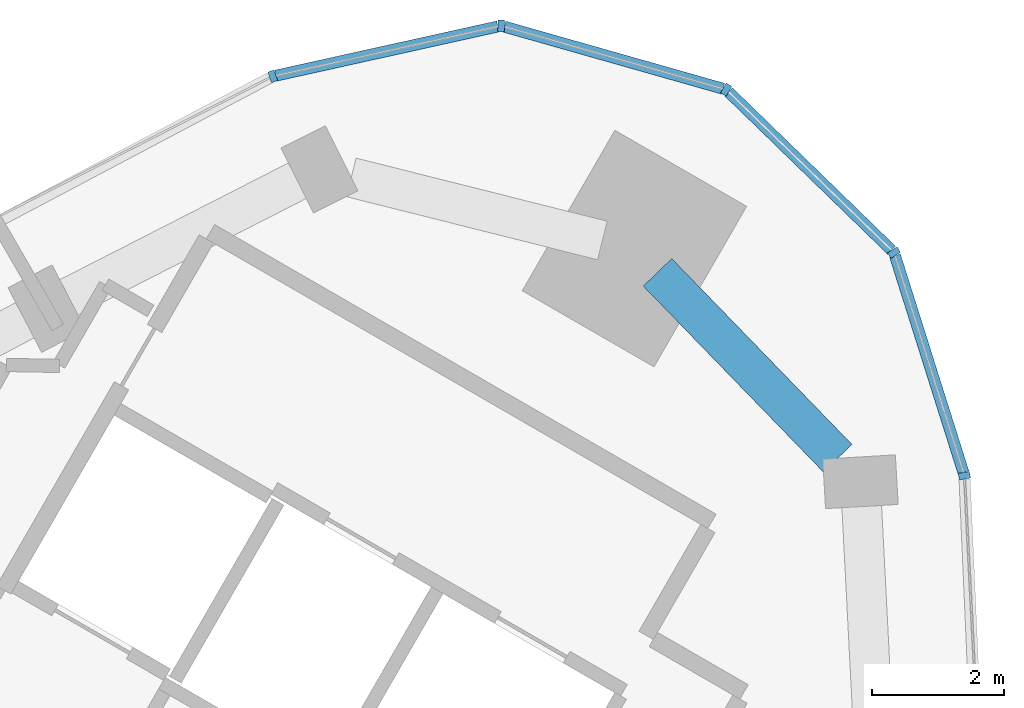
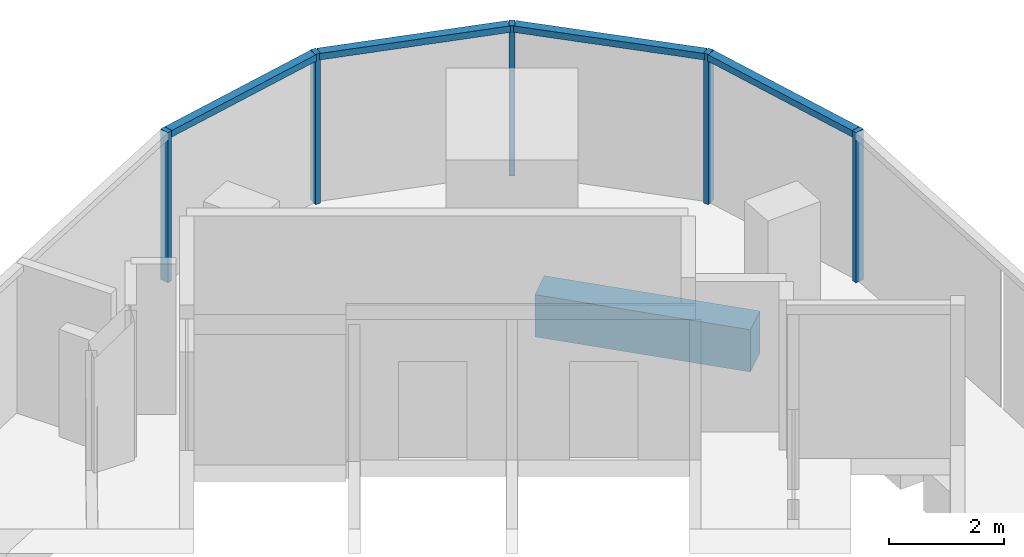
# One storey, part 5 of 11: 9 members, 1 beam, 2 elements without a shape of their own.
"""IFC4 building model written with IfcOpenShell, lengths in metres."""

from ifc_helpers import new_model, si_unit, direction, frame, origin, origin_2d, place, context, subcontext, project, spatial, rectangle, extrude, material, material_profile, profile_set, type_object, element, aggregate, save


model = new_model("IFC4")

# Units and contexts
model_context = context("Model", 3, precision=1e-05, world=origin(), true_north=direction((0.0, 1.0)))
body_context = subcontext(model_context, "Body", "Model", "MODEL_VIEW")
ifc_project = project(units=[si_unit("LENGTHUNIT", "METRE"), si_unit("AREAUNIT", "SQUARE_METRE"), si_unit("VOLUMEUNIT", "CUBIC_METRE"), si_unit("PLANEANGLEUNIT", "RADIAN"), si_unit("MASSUNIT", "GRAM", prefix="KILO")], contexts=[model_context])

# Site, building, storey
site_placement = place(None, origin())
site = spatial("IfcSite", under=ifc_project, at=site_placement, CompositionType="ELEMENT")
building_placement = place(site_placement, origin())
building = spatial("IfcBuilding", under=site, at=building_placement, Name="Tamra Quay Hotel Tower", CompositionType="ELEMENT")
storey_placement = place(building_placement, frame((0.0, 0.0, 253.800048828125)))
storey = spatial("IfcBuildingStorey", under=building, at=storey_placement, Name="L64", CompositionType="ELEMENT", Elevation=253.800048828125)

# Curtain wall, members
ifc_material_1 = material(Name="Aluminium 6063 anodised dark grey", Category="aluminium")
curtain_wall_type_1 = type_object("IfcCurtainWallType", Name="CW1 CURTAIN WALL", PredefinedType="NOTDEFINED", material=ifc_material_1)
curtain_wall_1_placement = place(storey_placement, origin())
curtain_wall_1 = element("IfcCurtainWall", 1, at=curtain_wall_1_placement, inside=storey, type_object=curtain_wall_type_1, Name="CW1 east face L64", PredefinedType="NOTDEFINED")
ifc_material_profile_1 = material_profile(ifc_material_1, rectangle(XDim=0.169921875, YDim=0.10009765625, at=origin_2d()), Name="MULLION 100X170")
ifc_profile_set_1 = profile_set([ifc_material_profile_1], Name="Aluminium 6063 anodised dark grey")
member_type_1 = type_object("IfcMemberType", Name="MULLION CW1 Z5", PredefinedType="MULLION", material=ifc_profile_set_1)
member_1_placement = place(storey_placement, frame((17.69677734375, 18.5830078125, 0.0), z_axis=(0.0, 0.0, 1.0), x_axis=(0.984105321789, 0.177585797933, 0.0)))
member_1 = element("IfcMember", 2, at=member_1_placement, type_object=member_type_1, Name="CW1 mullion L64.E.9", PredefinedType="MULLION", context=body_context, shape_type="SweptSolid", body=[
    extrude(rectangle(XDim=0.169921875, YDim=0.10009765625, at=origin_2d()), origin(), (0.0, 0.0, 1.0), 3.199951171875),
])
member_2_placement = place(storey_placement, frame((16.633056640625, 21.9541015625, 0.0), z_axis=(0.0, 0.0, 1.0), x_axis=(0.851044298206, 0.525093898736, 0.0)))
member_2 = element("IfcMember", 3, at=member_2_placement, type_object=member_type_1, Name="CW1 mullion L64.E.10", PredefinedType="MULLION", context=body_context, shape_type="SweptSolid", body=[
    extrude(rectangle(XDim=0.169921875, YDim=0.10009765625, at=origin_2d()), origin(), (0.0, 0.0, 1.0), 3.199951171875),
])
member_3_placement = place(storey_placement, frame((14.09716796875, 24.4169921875, 0.0), z_axis=(0.0, 0.0, 1.0), x_axis=(0.5, 0.866025403784, 0.0)))
member_3 = element("IfcMember", 4, at=member_3_placement, type_object=member_type_1, Name="CW1 mullion L64.E.11", PredefinedType="MULLION", context=body_context, shape_type="SweptSolid", body=[
    extrude(rectangle(XDim=0.169921875, YDim=0.10009765625, at=origin_2d()), origin(), (0.0, 0.0, 1.0), 3.199951171875),
])
member_4_placement = place(storey_placement, frame((10.6962890625, 25.3818359375, 0.0), z_axis=(0.0, 0.0, 1.0), x_axis=(0.029222506575, 0.999572931361, 0.0)))
member_4 = element("IfcMember", 5, at=member_4_placement, type_object=member_type_1, Name="CW1 mullion L64.E.12", PredefinedType="MULLION", context=body_context, shape_type="SweptSolid", body=[
    extrude(rectangle(XDim=0.169921875, YDim=0.10009765625, at=origin_2d()), origin(), (0.0, 0.0, 1.0), 3.199951171875),
])

# Curtain wall, member
curtain_wall_type_2 = type_object("IfcCurtainWallType", Name="CW2 CURTAIN WALL", PredefinedType="NOTDEFINED", material=ifc_material_1)
curtain_wall_2_placement = place(storey_placement, origin())
curtain_wall_2 = element("IfcCurtainWall", 6, at=curtain_wall_2_placement, inside=storey, type_object=curtain_wall_type_2, Name="CW2 north-west face L64", PredefinedType="NOTDEFINED")
ifc_material_profile_2 = material_profile(ifc_material_1, rectangle(XDim=0.169921875, YDim=0.10009765625, at=origin_2d()), Name="MULLION 100X170")
ifc_profile_set_2 = profile_set([ifc_material_profile_2], Name="Aluminium 6063 anodised dark grey")
member_type_2 = type_object("IfcMemberType", Name="MULLION CW2 Z5", PredefinedType="MULLION", material=ifc_profile_set_2)
member_5_placement = place(storey_placement, frame((7.244873046875, 24.617431640625, 0.0), z_axis=(0.0, 0.0, 1.0), x_axis=(-0.338258848533, 0.941053107635, 0.0)))
member_5 = element("IfcMember", 7, at=member_5_placement, type_object=member_type_2, Name="CW2 mullion L64.NW.1", PredefinedType="MULLION", context=body_context, shape_type="SweptSolid", body=[
    extrude(rectangle(XDim=0.169921875, YDim=0.10009765625, at=origin_2d()), origin(), (0.0, 0.0, 1.0), 3.199951171875),
])
aggregate(curtain_wall_2, [member_5])

# Beam
ifc_material_2 = material(Name="Concrete M60", Category="concrete")
ifc_material_profile_3 = material_profile(ifc_material_2, rectangle(XDim=0.60009765625, YDim=0.89990234375, at=origin_2d()), Name="SPANDREL BEAM RC 600x900")
ifc_profile_set_3 = profile_set([ifc_material_profile_3], Name="Concrete M60")
beam_type = type_object("IfcBeamType", Name="SPANDREL BEAM RC 600x900", PredefinedType="SPANDREL", material=ifc_profile_set_3)
beam_placement = place(storey_placement, frame((15.781005859375, 18.846435546875, -0.800048828125), z_axis=(-0.69594408001, 0.718095980701, 0.0), x_axis=(-0.718095980701, -0.69594408001, 0.0)))
element("IfcBeam", 8, at=beam_placement, inside=storey, type_object=beam_type, Name="BM-SP5-008-L64", PredefinedType="SPANDREL", context=body_context, shape_type="SweptSolid", body=[
    extrude(rectangle(XDim=0.60009765625, YDim=0.89990234375, at=origin_2d()), origin(), (0.0, 0.0, 1.0), 3.91259765625),
])

# Member
ifc_material_profile_4 = material_profile(ifc_material_1, rectangle(XDim=0.169921875, YDim=0.139892578125, at=origin_2d()), Name="TRANSOM 170X140")
ifc_profile_set_4 = profile_set([ifc_material_profile_4], Name="Aluminium 6063 anodised dark grey")
member_type_3 = type_object("IfcMemberType", Name="TRANSOM CW1 Z5", PredefinedType="USERDEFINED", material=ifc_profile_set_4)
member_6_placement = place(storey_placement, frame((17.681884765625, 18.630615234375, 3.1298828125), z_axis=(-0.30092047073, 0.953649238607, 0.0), x_axis=(-0.953649238607, -0.30092047073, 0.0)))
member_6 = element("IfcMember", 9, at=member_6_placement, type_object=member_type_3, Name="CW1 transom L64.E.9", ObjectType="TRANSOM", PredefinedType="USERDEFINED", context=body_context, shape_type="SweptSolid", body=[
    extrude(rectangle(XDim=0.169921875, YDim=0.139892578125, at=origin_2d()), origin(), (0.0, 0.0, 1.0), 3.43505859375),
])

member_7_placement = place(storey_placement, frame((16.59716796875, 21.989013671875, 3.1298828125), z_axis=(-0.717337227603, 0.696726131199, 0.0), x_axis=(-0.696726131199, -0.717337227603, 0.0)))
member_7 = element("IfcMember", 10, at=member_7_placement, type_object=member_type_3, Name="CW1 transom L64.E.10", ObjectType="TRANSOM", PredefinedType="USERDEFINED", context=body_context, shape_type="SweptSolid", body=[
    extrude(rectangle(XDim=0.169921875, YDim=0.139892578125, at=origin_2d()), origin(), (0.0, 0.0, 1.0), 3.43505859375),
])

member_8_placement = place(storey_placement, frame((14.049072265625, 24.4306640625, 3.1298828125), z_axis=(-0.962037198813, 0.272918354273, 0.0), x_axis=(-0.272918354273, -0.962037198813, 0.0)))
member_8 = element("IfcMember", 11, at=member_8_placement, type_object=member_type_3, Name="CW1 transom L64.E.11", ObjectType="TRANSOM", PredefinedType="USERDEFINED", context=body_context, shape_type="SweptSolid", body=[
    extrude(rectangle(XDim=0.169921875, YDim=0.139892578125, at=origin_2d()), origin(), (0.0, 0.0, 1.0), 3.43505859375),
])

member_9_placement = place(storey_placement, frame((10.6474609375, 25.37109375, 3.1298828125), z_axis=(-0.976332331622, -0.21627569958, 0.0), x_axis=(0.21627569958, -0.976332331622, 0.0)))
member_9 = element("IfcMember", 12, at=member_9_placement, type_object=member_type_3, Name="CW1 transom L64.E.12", ObjectType="TRANSOM", PredefinedType="USERDEFINED", context=body_context, shape_type="SweptSolid", body=[
    extrude(rectangle(XDim=0.169921875, YDim=0.139892578125, at=origin_2d()), origin(), (0.0, 0.0, 1.0), 3.43505859375),
])

aggregate(curtain_wall_1, [member_1, member_6, member_2, member_7, member_3, member_8, member_4, member_9])

save(model, "model.ifc")
